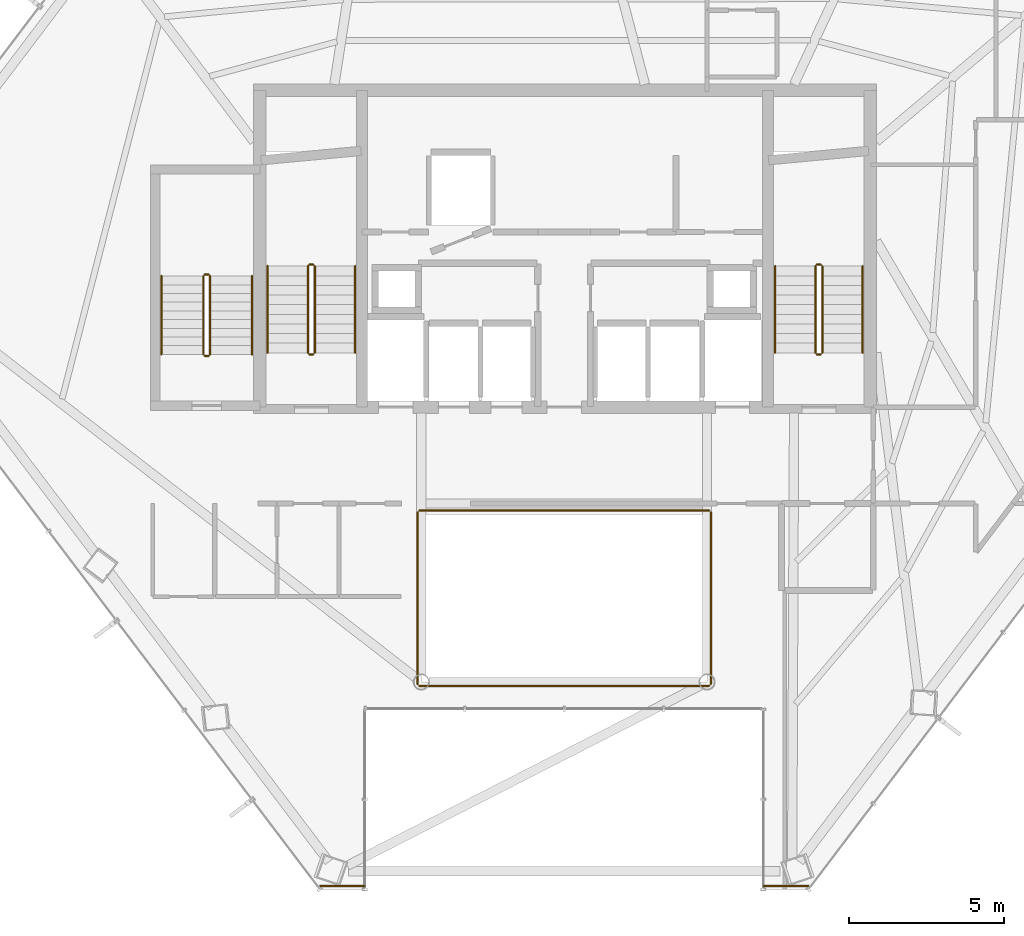
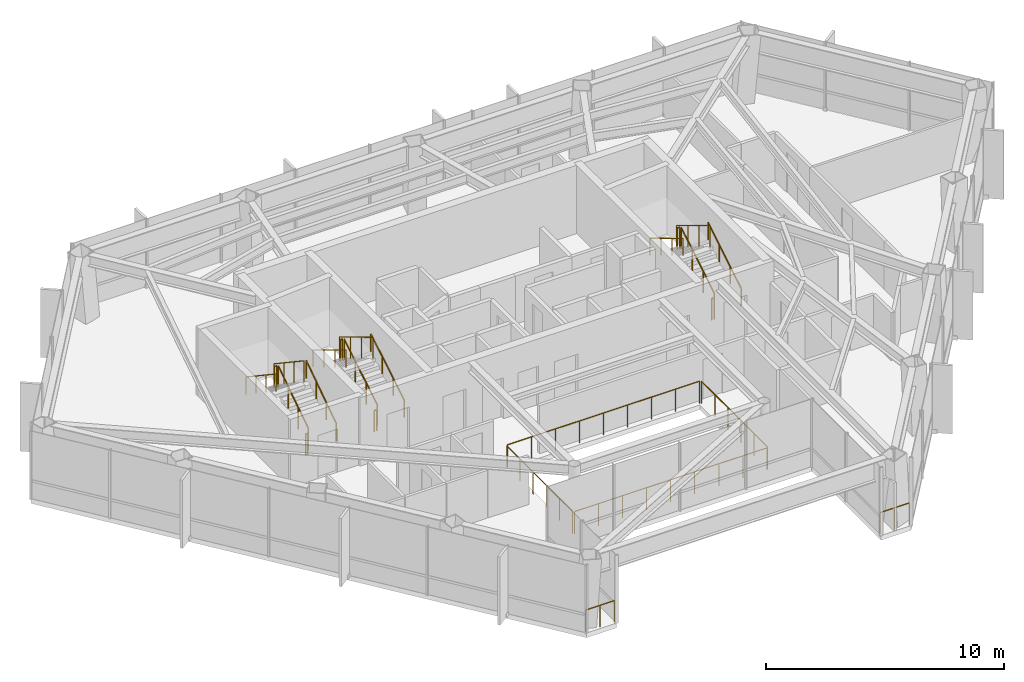
# One storey, part 30 of 30: 24 railings.
"""IFC4 building model written with IfcOpenShell, lengths in metres."""

import ifcopenshell
import ifcopenshell.guid

model = None  # the IFC model being written
_history = None  # IfcOwnerHistory: only IFC2X3 demands one
_inside = {}  # id of a spatial element -> (the spatial element, [elements in it])
_under = {}  # id of a project, library or spatial element -> (it, [spatial elements below it])
_declared = {}  # id of a project -> (the project, [libraries it declares])
_typed = {}  # id of a type object -> (the type object, [elements of that type])
_made_of = {}  # id of a material, layer set ... -> (it, [elements and type objects made of it])


def new_model(schema):
    """Start an empty IFC model of exactly this schema.

    Asked for "IFC4X3", IfcOpenShell would pick the latest addendum, in which some entities
    have other attributes; the version numbers below select the first issue.
    IFC2X3 requires an IfcOwnerHistory on every rooted entity: one is made here for all.
    """
    global model, _history
    if schema == "IFC4X3":
        model = ifcopenshell.file(schema_version=(4, 3, 0, 0))
    else:
        model = ifcopenshell.file(schema=schema)
    _inside.clear()
    _under.clear()
    _declared.clear()
    _typed.clear()
    _made_of.clear()
    _history = None
    if model.schema == "IFC2X3":
        org = make("IfcOrganization", Name="unknown")
        user = make(
            "IfcPersonAndOrganization",
            ThePerson=make("IfcPerson", FamilyName="unknown"),
            TheOrganization=org,
        )
        app = make(
            "IfcApplication",
            ApplicationDeveloper=org,
            Version="unknown",
            ApplicationFullName="unknown",
            ApplicationIdentifier="unknown",
        )
        _history = make(
            "IfcOwnerHistory",
            OwningUser=user,
            OwningApplication=app,
            ChangeAction="ADDED",
            CreationDate=0,
        )
    return model


def make(cls, **values):
    """One entity of the class cls with the attributes given. An attribute that is None is left unset."""
    return model.create_entity(
        cls, **{name: value for name, value in values.items() if value is not None}
    )


def rooted(cls, **values):
    """An entity with a GlobalId (a new one), such as an element, a storey or a relation."""
    return make(cls, GlobalId=ifcopenshell.guid.new(), OwnerHistory=_history, **values)


def si_unit(unit_type, name, prefix=None):
    """IfcSIUnit, for example si_unit("LENGTHUNIT", "METRE", prefix="MILLI")."""
    return make("IfcSIUnit", UnitType=unit_type, Prefix=prefix, Name=name)


def assignment(units):
    """IfcUnitAssignment: the units of a project."""
    return None if units is None else make("IfcUnitAssignment", Units=units)


def point(xyz):
    """IfcCartesianPoint."""
    return None if xyz is None else make("IfcCartesianPoint", Coordinates=xyz)


def direction(xyz):
    """IfcDirection."""
    return None if xyz is None else make("IfcDirection", DirectionRatios=xyz)


def frame(location, z_axis=None, x_axis=None):
    """IfcAxis2Placement3D, a coordinate frame: its origin and axes. An axis left out is left unset."""
    return make(
        "IfcAxis2Placement3D",
        Location=point(location),
        Axis=direction(z_axis),
        RefDirection=direction(x_axis),
    )


def frame_2d(location, x_axis=None):
    """IfcAxis2Placement2D, a coordinate frame in the plane: its origin and x axis."""
    return make(
        "IfcAxis2Placement2D", Location=point(location), RefDirection=direction(x_axis)
    )


def origin():
    """The frame at (0, 0, 0) with its axes left unset."""
    return frame((0.0, 0.0, 0.0))


def origin_2d():
    """The frame at (0, 0) in the plane with its x axis left unset."""
    return frame_2d((0.0, 0.0))


def place(relative_to, where):
    """IfcLocalPlacement: puts the frame where relative to a parent placement (None: the world)."""
    return make(
        "IfcLocalPlacement", PlacementRelTo=relative_to, RelativePlacement=where
    )


def context(
    kind, dimensions, precision=None, world=None, true_north=None, identifier=None
):
    """IfcGeometricRepresentationContext, for example the 3D "Model" context."""
    return make(
        "IfcGeometricRepresentationContext",
        ContextIdentifier=identifier,
        ContextType=kind,
        CoordinateSpaceDimension=dimensions,
        Precision=precision,
        WorldCoordinateSystem=world,
        TrueNorth=true_north,
    )


def subcontext(parent, identifier, kind, view, scale=None):
    """IfcGeometricRepresentationSubContext, for example "Body" below "Model"."""
    return make(
        "IfcGeometricRepresentationSubContext",
        ContextIdentifier=identifier,
        ContextType=kind,
        ParentContext=parent,
        TargetScale=scale,
        TargetView=view,
    )


def project(units=None, contexts=None):
    """IfcProject with its units and contexts."""
    return rooted(
        "IfcProject",
        Name="project",
        RepresentationContexts=contexts,
        UnitsInContext=assignment(units),
    )


def spatial(cls, under=None, at=None, **own):
    """A site, building, storey or space (cls), placed at a placement, below another one or the project."""
    s = rooted(cls, ObjectPlacement=at, **own)
    if under is not None:
        _under.setdefault(under.id(), (under, []))[1].append(s)
    return s


def profile(cls, at=None, kind="AREA", **sizes):
    """A parametric profile (cls). Its sizes go by their IFC names, for example OverallWidth=200.0."""
    return make(cls, ProfileType=kind, Position=at, **sizes)


def circle(**sizes):
    """IfcCircleProfileDef."""
    return profile("IfcCircleProfileDef", **sizes)


def extrude(swept, where, along, depth):
    """IfcExtrudedAreaSolid: the profile swept, set in the frame where, extruded along a direction by depth."""
    return make(
        "IfcExtrudedAreaSolid",
        SweptArea=swept,
        Position=where,
        ExtrudedDirection=direction(along),
        Depth=depth,
    )


def shape(context_of_items, identifier, shape_type, items):
    """IfcShapeRepresentation: the items that make up one representation, for example the "Body"."""
    return make(
        "IfcShapeRepresentation",
        ContextOfItems=context_of_items,
        RepresentationIdentifier=identifier,
        RepresentationType=shape_type,
        Items=items,
    )


def material(Name=None, Category=None):
    """IfcMaterial."""
    return make("IfcMaterial", Name=Name, Category=Category)


def made_of(thing, what):
    """Note that an element or type object is made of a material, layer set ...; save() writes the relation."""
    if what is not None:
        _made_of.setdefault(what.id(), (what, []))[1].append(thing)
    return thing


def type_object(cls, material=None, **own):
    """A type object (cls), such as IfcWallType, which elements share."""
    return made_of(rooted(cls, **own), material)


def element(
    cls,
    number,
    at=None,
    inside=None,
    cuts=None,
    type_object=None,
    material=None,
    context=None,
    identifier="Body",
    shape_type=None,
    held_by="IfcProductDefinitionShape",
    body=None,
    shapes=None,
    **own,
):
    """One element of the class cls, such as IfcWall. Its Tag is "e" and its number.

    at: its placement. inside: the storey or other place that contains it. cuts: it is an
    opening in that element (IfcRelVoidsElement). A single representation is given by context,
    identifier, shape_type and body (its items); several are given by shapes. held_by: the class
    of the entity that holds the representations. save() writes the other relations.
    """
    e = rooted(cls, Tag="e%d" % number, ObjectPlacement=at, **own)
    if body is not None:
        shapes = [shape(context, identifier, shape_type, body)]
    if shapes is not None:
        e.Representation = make(held_by, Representations=shapes)
    if inside is not None:
        _inside.setdefault(inside.id(), (inside, []))[1].append(e)
    if cuts is not None:
        rooted(
            "IfcRelVoidsElement", RelatingBuildingElement=cuts, RelatedOpeningElement=e
        )
    if type_object is not None:
        _typed.setdefault(type_object.id(), (type_object, []))[1].append(e)
    return made_of(e, material)


def aggregate(whole, parts):
    """IfcRelAggregates: a whole, such as a stair, and the parts it consists of."""
    return rooted("IfcRelAggregates", RelatingObject=whole, RelatedObjects=parts)


def save(model, path):
    """Write the relations noted so far, then the file.

    IfcRelAggregates (storeys below a building ...), IfcRelContainedInSpatialStructure (elements
    in a storey), IfcRelDefinesByType, IfcRelAssociatesMaterial and IfcRelDeclares: one each for
    every whole, place, type object, material and project.
    """
    for whole, parts in _under.values():
        aggregate(whole, parts)
    for where, things in _inside.values():
        rooted(
            "IfcRelContainedInSpatialStructure",
            RelatedElements=things,
            RelatingStructure=where,
        )
    for kind, things in _typed.values():
        rooted("IfcRelDefinesByType", RelatedObjects=things, RelatingType=kind)
    for what, things in _made_of.values():
        rooted("IfcRelAssociatesMaterial", RelatedObjects=things, RelatingMaterial=what)
    for by, libraries in _declared.values():
        rooted("IfcRelDeclares", RelatingContext=by, RelatedDefinitions=libraries)
    model.write(path)


model = new_model("IFC4")

# Units and contexts
model_context = context("Model", 3, precision=1e-05, world=origin(), true_north=direction((0.0, 1.0)))
body_context = subcontext(model_context, "Body", "Model", "MODEL_VIEW")
ifc_project = project(units=[si_unit("LENGTHUNIT", "METRE"), si_unit("AREAUNIT", "SQUARE_METRE"), si_unit("VOLUMEUNIT", "CUBIC_METRE"), si_unit("PLANEANGLEUNIT", "RADIAN"), si_unit("MASSUNIT", "GRAM", prefix="KILO")], contexts=[model_context])

# Site, building, storey
site_placement = place(None, origin())
site = spatial("IfcSite", under=ifc_project, at=site_placement, CompositionType="ELEMENT")
building_placement = place(site_placement, origin())
building = spatial("IfcBuilding", under=site, at=building_placement, Name="Zarrinselat Tower", CompositionType="ELEMENT")
storey_placement = place(building_placement, frame((0.0, 0.0, 160.820068359375)))
storey = spatial("IfcBuildingStorey", under=building, at=storey_placement, Name="L39", CompositionType="ELEMENT", Elevation=160.820068359375)

# Railings
ifc_material_1 = material(Name="Double Low-E Laminated Solar Glass", Category="glass")
railing_type_1 = type_object("IfcRailingType", Name="RLG-ATRIUM-BAL", PredefinedType="BALUSTRADE", material=ifc_material_1)
railing_1_placement = place(storey_placement, frame((33.739990234375, 24.280029296875, 0.0)))
element("IfcRailing", 1, at=railing_1_placement, inside=storey, type_object=railing_type_1, Name="L39 Atrium Void Glass Balustrade S", PredefinedType="BALUSTRADE", context=body_context, shape_type="SweptSolid", body=[
    extrude(circle(Radius=0.02392578125, at=origin_2d()), frame((0.0, 0.0, 1.1259765625), z_axis=(1.0, 0.0, 0.0), x_axis=(0.0, 1.0, 0.0)), (0.0, 0.0, 1.0), 9.320068359375),
    extrude(circle(Radius=0.02099609375, at=origin_2d()), origin(), (0.0, 0.0, 1.0), 1.099853515625),
    extrude(circle(Radius=0.02099609375, at=origin_2d()), frame((1.1650390625, 0.0, 0.0)), (0.0, 0.0, 1.0), 1.099853515625),
    extrude(circle(Radius=0.02099609375, at=origin_2d()), frame((2.330078125, 0.0, 0.0)), (0.0, 0.0, 1.0), 1.099853515625),
    extrude(circle(Radius=0.02099609375, at=origin_2d()), frame((3.4951171875, 0.0, 0.0)), (0.0, 0.0, 1.0), 1.099853515625),
    extrude(circle(Radius=0.02099609375, at=origin_2d()), frame((4.66015625, 0.0, 0.0)), (0.0, 0.0, 1.0), 1.099853515625),
    extrude(circle(Radius=0.02099609375, at=origin_2d()), frame((5.824951171875, 0.0, 0.0)), (0.0, 0.0, 1.0), 1.099853515625),
    extrude(circle(Radius=0.02099609375, at=origin_2d()), frame((6.989990234375, 0.0, 0.0)), (0.0, 0.0, 1.0), 1.099853515625),
    extrude(circle(Radius=0.02099609375, at=origin_2d()), frame((8.155029296875, 0.0, 0.0)), (0.0, 0.0, 1.0), 1.099853515625),
    extrude(circle(Radius=0.02099609375, at=origin_2d()), frame((9.320068359375, 0.0, 0.0)), (0.0, 0.0, 1.0), 1.099853515625),
])
railing_2_placement = place(storey_placement, frame((43.1201171875, 24.340087890625, 0.0)))
element("IfcRailing", 2, at=railing_2_placement, inside=storey, type_object=railing_type_1, Name="L39 Atrium Void Glass Balustrade E", PredefinedType="BALUSTRADE", context=body_context, shape_type="SweptSolid", body=[
    extrude(circle(Radius=0.02392578125, at=origin_2d()), frame((0.0, 0.0, 1.1259765625), z_axis=(0.0, 1.0, 0.0), x_axis=(-1.0, 0.0, 0.0)), (0.0, 0.0, 1.0), 5.52001953125),
    extrude(circle(Radius=0.02099609375, at=origin_2d()), origin(), (0.0, 0.0, 1.0), 1.099853515625),
    extrude(circle(Radius=0.02099609375, at=origin_2d()), frame((0.0, 1.10400390625, 0.0)), (0.0, 0.0, 1.0), 1.099853515625),
    extrude(circle(Radius=0.02099609375, at=origin_2d()), frame((0.0, 2.2080078125, 0.0)), (0.0, 0.0, 1.0), 1.099853515625),
    extrude(circle(Radius=0.02099609375, at=origin_2d()), frame((0.0, 3.31201171875, 0.0)), (0.0, 0.0, 1.0), 1.099853515625),
    extrude(circle(Radius=0.02099609375, at=origin_2d()), frame((0.0, 4.416015625, 0.0)), (0.0, 0.0, 1.0), 1.099853515625),
    extrude(circle(Radius=0.02099609375, at=origin_2d()), frame((0.0, 5.52001953125, 0.0)), (0.0, 0.0, 1.0), 1.099853515625),
])
railing_3_placement = place(storey_placement, frame((43.06005859375, 29.919921875, 0.0)))
element("IfcRailing", 3, at=railing_3_placement, inside=storey, type_object=railing_type_1, Name="L39 Atrium Void Glass Balustrade N", PredefinedType="BALUSTRADE", context=body_context, shape_type="SweptSolid", body=[
    extrude(circle(Radius=0.02392578125, at=origin_2d()), frame((0.0, 0.0, 1.1259765625), z_axis=(-1.0, 0.0, 0.0), x_axis=(0.0, -1.0, 0.0)), (0.0, 0.0, 1.0), 9.320068359375),
    extrude(circle(Radius=0.02099609375, at=origin_2d()), origin(), (0.0, 0.0, 1.0), 1.099853515625),
    extrude(circle(Radius=0.02099609375, at=origin_2d()), frame((-1.1650390625, 0.0, 0.0)), (0.0, 0.0, 1.0), 1.099853515625),
    extrude(circle(Radius=0.02099609375, at=origin_2d()), frame((-2.330078125, 0.0, 0.0)), (0.0, 0.0, 1.0), 1.099853515625),
    extrude(circle(Radius=0.02099609375, at=origin_2d()), frame((-3.4951171875, 0.0, 0.0)), (0.0, 0.0, 1.0), 1.099853515625),
    extrude(circle(Radius=0.02099609375, at=origin_2d()), frame((-4.66015625, 0.0, 0.0)), (0.0, 0.0, 1.0), 1.099853515625),
    extrude(circle(Radius=0.02099609375, at=origin_2d()), frame((-5.824951171875, 0.0, 0.0)), (0.0, 0.0, 1.0), 1.099853515625),
    extrude(circle(Radius=0.02099609375, at=origin_2d()), frame((-6.989990234375, 0.0, 0.0)), (0.0, 0.0, 1.0), 1.099853515625),
    extrude(circle(Radius=0.02099609375, at=origin_2d()), frame((-8.155029296875, 0.0, 0.0)), (0.0, 0.0, 1.0), 1.099853515625),
    extrude(circle(Radius=0.02099609375, at=origin_2d()), frame((-9.320068359375, 0.0, 0.0)), (0.0, 0.0, 1.0), 1.099853515625),
])
railing_4_placement = place(storey_placement, frame((33.679931640625, 29.860107421875, 0.0)))
element("IfcRailing", 4, at=railing_4_placement, inside=storey, type_object=railing_type_1, Name="L39 Atrium Void Glass Balustrade W", PredefinedType="BALUSTRADE", context=body_context, shape_type="SweptSolid", body=[
    extrude(circle(Radius=0.02392578125, at=origin_2d()), frame((0.0, 0.0, 1.1259765625), z_axis=(0.0, -1.0, 0.0), x_axis=(1.0, 0.0, 0.0)), (0.0, 0.0, 1.0), 5.52001953125),
    extrude(circle(Radius=0.02099609375, at=origin_2d()), origin(), (0.0, 0.0, 1.0), 1.099853515625),
    extrude(circle(Radius=0.02099609375, at=origin_2d()), frame((0.0, -1.10400390625, 0.0)), (0.0, 0.0, 1.0), 1.099853515625),
    extrude(circle(Radius=0.02099609375, at=origin_2d()), frame((0.0, -2.2080078125, 0.0)), (0.0, 0.0, 1.0), 1.099853515625),
    extrude(circle(Radius=0.02099609375, at=origin_2d()), frame((0.0, -3.31201171875, 0.0)), (0.0, 0.0, 1.0), 1.099853515625),
    extrude(circle(Radius=0.02099609375, at=origin_2d()), frame((0.0, -4.416015625, 0.0)), (0.0, 0.0, 1.0), 1.099853515625),
    extrude(circle(Radius=0.02099609375, at=origin_2d()), frame((0.0, -5.52001953125, 0.0)), (0.0, 0.0, 1.0), 1.099853515625),
])
ifc_material_2 = material(Name="Steel S355J2", Category="steel")
railing_type_2 = type_object("IfcRailingType", Name="RLG-STAIR-GUARD", PredefinedType="GUARDRAIL", material=ifc_material_2)
railing_5_placement = place(storey_placement, frame((30.3701171875, 35.0, 0.18701171875)))
element("IfcRailing", 5, at=railing_5_placement, inside=storey, type_object=railing_type_2, Name="L39 ST-1 stair guard 1", PredefinedType="GUARDRAIL", context=body_context, shape_type="SweptSolid", body=[
    extrude(circle(Radius=0.02392578125, at=origin_2d()), frame((0.0, 0.0, 1.076171875), z_axis=(0.0, 0.856293938615, 0.516488809842), x_axis=(-1.0, 0.0, 0.0)), (0.0, 0.0, 1.0), 3.25830078125),
    extrude(circle(Radius=0.02099609375, at=origin_2d()), origin(), (0.0, 0.0, 1.0), 1.050048828125),
    extrude(circle(Radius=0.02099609375, at=origin_2d()), frame((0.0, 0.929931640625, 0.56103515625)), (0.0, 0.0, 1.0), 1.050048828125),
    extrude(circle(Radius=0.02099609375, at=origin_2d()), frame((0.0, 1.860107421875, 1.121826171875)), (0.0, 0.0, 1.0), 1.050048828125),
    extrude(circle(Radius=0.02099609375, at=origin_2d()), frame((0.0, 2.7900390625, 1.682861328125)), (0.0, 0.0, 1.0), 1.050048828125),
])
railing_6_placement = place(storey_placement, frame((30.320068359375, 37.840087890625, 1.869873046875)))
element("IfcRailing", 6, at=railing_6_placement, inside=storey, type_object=railing_type_2, Name="L39 ST-1 stair guard 2", PredefinedType="GUARDRAIL", context=body_context, shape_type="SweptSolid", body=[
    extrude(circle(Radius=0.02392578125, at=origin_2d()), frame((0.0, 0.0, 1.076171875), z_axis=(-1.0, 0.0, 0.0), x_axis=(0.0, -1.0, 0.0)), (0.0, 0.0, 1.0), 0.1201171875),
    extrude(circle(Radius=0.02099609375, at=origin_2d()), origin(), (0.0, 0.0, 1.0), 1.050048828125),
    extrude(circle(Radius=0.02099609375, at=origin_2d()), frame((-0.1201171875, 0.0, 0.0)), (0.0, 0.0, 1.0), 1.050048828125),
])
railing_7_placement = place(storey_placement, frame((30.14990234375, 37.7900390625, 2.056884765625)))
element("IfcRailing", 7, at=railing_7_placement, inside=storey, type_object=railing_type_2, Name="L39 ST-1 stair guard 3", PredefinedType="GUARDRAIL", context=body_context, shape_type="SweptSolid", body=[
    extrude(circle(Radius=0.02392578125, at=origin_2d()), frame((0.0, 0.0, 1.076171875), z_axis=(0.0, -0.856260799362, 0.516543747882), x_axis=(1.0, 0.0, 0.0)), (0.0, 0.0, 1.0), 3.25830078125),
    extrude(circle(Radius=0.02099609375, at=origin_2d()), origin(), (0.0, 0.0, 1.0), 1.050048828125),
    extrude(circle(Radius=0.02099609375, at=origin_2d()), frame((0.0, -0.929931640625, 0.56103515625)), (0.0, 0.0, 1.0), 1.050048828125),
    extrude(circle(Radius=0.02099609375, at=origin_2d()), frame((0.0, -1.860107421875, 1.1220703125)), (0.0, 0.0, 1.0), 1.050048828125),
    extrude(circle(Radius=0.02099609375, at=origin_2d()), frame((0.0, -2.7900390625, 1.68310546875)), (0.0, 0.0, 1.0), 1.050048828125),
])
railing_8_placement = place(storey_placement, frame((30.320068359375, 34.949951171875, 0.0)))
element("IfcRailing", 8, at=railing_8_placement, inside=storey, type_object=railing_type_2, Name="L39 ST-1 stair guard 4", PredefinedType="GUARDRAIL", context=body_context, shape_type="SweptSolid", body=[
    extrude(circle(Radius=0.02392578125, at=origin_2d()), frame((0.0, 0.0, 1.076171875), z_axis=(-1.0, 0.0, 0.0), x_axis=(0.0, -1.0, 0.0)), (0.0, 0.0, 1.0), 0.1201171875),
    extrude(circle(Radius=0.02099609375, at=origin_2d()), origin(), (0.0, 0.0, 1.0), 1.050048828125),
    extrude(circle(Radius=0.02099609375, at=origin_2d()), frame((-0.1201171875, 0.0, 0.0)), (0.0, 0.0, 1.0), 1.050048828125),
])
railing_9_placement = place(storey_placement, frame((46.7099609375, 35.0, 0.18701171875)))
element("IfcRailing", 9, at=railing_9_placement, inside=storey, type_object=railing_type_2, Name="L39 ST-2 stair guard 1", PredefinedType="GUARDRAIL", context=body_context, shape_type="SweptSolid", body=[
    extrude(circle(Radius=0.02392578125, at=origin_2d()), frame((0.0, 0.0, 1.076171875), z_axis=(0.0, 0.856293938615, 0.516488809842), x_axis=(-1.0, 0.0, 0.0)), (0.0, 0.0, 1.0), 3.25830078125),
    extrude(circle(Radius=0.02099609375, at=origin_2d()), origin(), (0.0, 0.0, 1.0), 1.050048828125),
    extrude(circle(Radius=0.02099609375, at=origin_2d()), frame((0.0, 0.929931640625, 0.56103515625)), (0.0, 0.0, 1.0), 1.050048828125),
    extrude(circle(Radius=0.02099609375, at=origin_2d()), frame((0.0, 1.860107421875, 1.121826171875)), (0.0, 0.0, 1.0), 1.050048828125),
    extrude(circle(Radius=0.02099609375, at=origin_2d()), frame((0.0, 2.7900390625, 1.682861328125)), (0.0, 0.0, 1.0), 1.050048828125),
])
railing_10_placement = place(storey_placement, frame((46.659912109375, 37.840087890625, 1.869873046875)))
element("IfcRailing", 10, at=railing_10_placement, inside=storey, type_object=railing_type_2, Name="L39 ST-2 stair guard 2", PredefinedType="GUARDRAIL", context=body_context, shape_type="SweptSolid", body=[
    extrude(circle(Radius=0.02392578125, at=origin_2d()), frame((0.0, 0.0, 1.076171875), z_axis=(-1.0, 0.0, 0.0), x_axis=(0.0, -1.0, 0.0)), (0.0, 0.0, 1.0), 0.119873046875),
    extrude(circle(Radius=0.02099609375, at=origin_2d()), origin(), (0.0, 0.0, 1.0), 1.050048828125),
    extrude(circle(Radius=0.02099609375, at=origin_2d()), frame((-0.119873046875, 0.0, 0.0)), (0.0, 0.0, 1.0), 1.050048828125),
])
railing_11_placement = place(storey_placement, frame((46.489990234375, 37.7900390625, 2.056884765625)))
element("IfcRailing", 11, at=railing_11_placement, inside=storey, type_object=railing_type_2, Name="L39 ST-2 stair guard 3", PredefinedType="GUARDRAIL", context=body_context, shape_type="SweptSolid", body=[
    extrude(circle(Radius=0.02392578125, at=origin_2d()), frame((0.0, 0.0, 1.076171875), z_axis=(0.0, -0.856260799362, 0.516543747882), x_axis=(1.0, 0.0, 0.0)), (0.0, 0.0, 1.0), 3.25830078125),
    extrude(circle(Radius=0.02099609375, at=origin_2d()), origin(), (0.0, 0.0, 1.0), 1.050048828125),
    extrude(circle(Radius=0.02099609375, at=origin_2d()), frame((0.0, -0.929931640625, 0.56103515625)), (0.0, 0.0, 1.0), 1.050048828125),
    extrude(circle(Radius=0.02099609375, at=origin_2d()), frame((0.0, -1.860107421875, 1.1220703125)), (0.0, 0.0, 1.0), 1.050048828125),
    extrude(circle(Radius=0.02099609375, at=origin_2d()), frame((0.0, -2.7900390625, 1.68310546875)), (0.0, 0.0, 1.0), 1.050048828125),
])
railing_12_placement = place(storey_placement, frame((46.659912109375, 34.949951171875, 0.0)))
element("IfcRailing", 12, at=railing_12_placement, inside=storey, type_object=railing_type_2, Name="L39 ST-2 stair guard 4", PredefinedType="GUARDRAIL", context=body_context, shape_type="SweptSolid", body=[
    extrude(circle(Radius=0.02392578125, at=origin_2d()), frame((0.0, 0.0, 1.076171875), z_axis=(-1.0, 0.0, 0.0), x_axis=(0.0, -1.0, 0.0)), (0.0, 0.0, 1.0), 0.119873046875),
    extrude(circle(Radius=0.02099609375, at=origin_2d()), origin(), (0.0, 0.0, 1.0), 1.050048828125),
    extrude(circle(Radius=0.02099609375, at=origin_2d()), frame((-0.119873046875, 0.0, 0.0)), (0.0, 0.0, 1.0), 1.050048828125),
])
railing_13_placement = place(storey_placement, frame((27.0, 34.949951171875, 0.18701171875)))
element("IfcRailing", 13, at=railing_13_placement, inside=storey, type_object=railing_type_2, Name="L39 ST-3 stair guard 1", PredefinedType="GUARDRAIL", context=body_context, shape_type="SweptSolid", body=[
    extrude(circle(Radius=0.02392578125, at=origin_2d()), frame((0.0, 0.0, 1.076171875), z_axis=(0.0, 0.831616215664, 0.555350762892), x_axis=(-1.0, 0.0, 0.0)), (0.0, 0.0, 1.0), 3.0302734375),
    extrude(circle(Radius=0.02099609375, at=origin_2d()), origin(), (0.0, 0.0, 1.0), 1.050048828125),
    extrude(circle(Radius=0.02099609375, at=origin_2d()), frame((0.0, 0.840087890625, 0.56103515625)), (0.0, 0.0, 1.0), 1.050048828125),
    extrude(circle(Radius=0.02099609375, at=origin_2d()), frame((0.0, 1.679931640625, 1.121826171875)), (0.0, 0.0, 1.0), 1.050048828125),
    extrude(circle(Radius=0.02099609375, at=origin_2d()), frame((0.0, 2.52001953125, 1.682861328125)), (0.0, 0.0, 1.0), 1.050048828125),
])
railing_14_placement = place(storey_placement, frame((26.949951171875, 37.52001953125, 1.869873046875)))
element("IfcRailing", 14, at=railing_14_placement, inside=storey, type_object=railing_type_2, Name="L39 ST-3 stair guard 2", PredefinedType="GUARDRAIL", context=body_context, shape_type="SweptSolid", body=[
    extrude(circle(Radius=0.02392578125, at=origin_2d()), frame((0.0, 0.0, 1.076171875), z_axis=(-1.0, 0.0, 0.0), x_axis=(0.0, -1.0, 0.0)), (0.0, 0.0, 1.0), 0.119873046875),
    extrude(circle(Radius=0.02099609375, at=origin_2d()), origin(), (0.0, 0.0, 1.0), 1.050048828125),
    extrude(circle(Radius=0.02099609375, at=origin_2d()), frame((-0.119873046875, 0.0, 0.0)), (0.0, 0.0, 1.0), 1.050048828125),
])
railing_15_placement = place(storey_placement, frame((26.780029296875, 37.469970703125, 2.056884765625)))
element("IfcRailing", 15, at=railing_15_placement, inside=storey, type_object=railing_type_2, Name="L39 ST-3 stair guard 3", PredefinedType="GUARDRAIL", context=body_context, shape_type="SweptSolid", body=[
    extrude(circle(Radius=0.02392578125, at=origin_2d()), frame((0.0, 0.0, 1.076171875), z_axis=(0.0, -0.831579006341, 0.555406478368), x_axis=(1.0, 0.0, 0.0)), (0.0, 0.0, 1.0), 3.030517578125),
    extrude(circle(Radius=0.02099609375, at=origin_2d()), origin(), (0.0, 0.0, 1.0), 1.050048828125),
    extrude(circle(Radius=0.02099609375, at=origin_2d()), frame((0.0, -0.840087890625, 0.56103515625)), (0.0, 0.0, 1.0), 1.050048828125),
    extrude(circle(Radius=0.02099609375, at=origin_2d()), frame((0.0, -1.679931640625, 1.1220703125)), (0.0, 0.0, 1.0), 1.050048828125),
    extrude(circle(Radius=0.02099609375, at=origin_2d()), frame((0.0, -2.52001953125, 1.68310546875)), (0.0, 0.0, 1.0), 1.050048828125),
])
railing_16_placement = place(storey_placement, frame((26.949951171875, 34.89990234375, 0.0)))
element("IfcRailing", 16, at=railing_16_placement, inside=storey, type_object=railing_type_2, Name="L39 ST-3 stair guard 4", PredefinedType="GUARDRAIL", context=body_context, shape_type="SweptSolid", body=[
    extrude(circle(Radius=0.02392578125, at=origin_2d()), frame((0.0, 0.0, 1.076171875), z_axis=(-1.0, 0.0, 0.0), x_axis=(0.0, -1.0, 0.0)), (0.0, 0.0, 1.0), 0.119873046875),
    extrude(circle(Radius=0.02099609375, at=origin_2d()), origin(), (0.0, 0.0, 1.0), 1.050048828125),
    extrude(circle(Radius=0.02099609375, at=origin_2d()), frame((-0.119873046875, 0.0, 0.0)), (0.0, 0.0, 1.0), 1.050048828125),
])
ifc_material_3 = material(Name="Steel S355J2", Category="steel")
railing_type_3 = type_object("IfcRailingType", Name="RLG-STAIR-HAND", PredefinedType="HANDRAIL", material=ifc_material_3)
railing_17_placement = place(storey_placement, frame((31.669921875, 35.0, 0.18701171875)))
element("IfcRailing", 17, at=railing_17_placement, inside=storey, type_object=railing_type_3, Name="L39 ST-1 stair handrail 1", PredefinedType="HANDRAIL", context=body_context, shape_type="SweptSolid", body=[
    extrude(circle(Radius=0.02392578125, at=origin_2d()), frame((0.0, 0.0, 0.8759765625), z_axis=(0.0, 0.856293938615, 0.516488809842), x_axis=(-1.0, 0.0, 0.0)), (0.0, 0.0, 1.0), 3.25830078125),
    extrude(circle(Radius=0.02099609375, at=origin_2d()), origin(), (0.0, 0.0, 1.0), 0.849853515625),
    extrude(circle(Radius=0.02099609375, at=origin_2d()), frame((0.0, 0.929931640625, 0.56103515625)), (0.0, 0.0, 1.0), 0.849853515625),
    extrude(circle(Radius=0.02099609375, at=origin_2d()), frame((0.0, 1.860107421875, 1.121826171875)), (0.0, 0.0, 1.0), 0.849853515625),
    extrude(circle(Radius=0.02099609375, at=origin_2d()), frame((0.0, 2.7900390625, 1.682861328125)), (0.0, 0.0, 1.0), 0.849853515625),
])
railing_18_placement = place(storey_placement, frame((28.85009765625, 37.7900390625, 2.056884765625)))
element("IfcRailing", 18, at=railing_18_placement, inside=storey, type_object=railing_type_3, Name="L39 ST-1 stair handrail 2", PredefinedType="HANDRAIL", context=body_context, shape_type="SweptSolid", body=[
    extrude(circle(Radius=0.02392578125, at=origin_2d()), frame((0.0, 0.0, 0.8759765625), z_axis=(0.0, -0.856260799362, 0.516543747882), x_axis=(1.0, 0.0, 0.0)), (0.0, 0.0, 1.0), 3.25830078125),
    extrude(circle(Radius=0.02099609375, at=origin_2d()), origin(), (0.0, 0.0, 1.0), 0.849853515625),
    extrude(circle(Radius=0.02099609375, at=origin_2d()), frame((0.0, -0.929931640625, 0.56103515625)), (0.0, 0.0, 1.0), 0.849853515625),
    extrude(circle(Radius=0.02099609375, at=origin_2d()), frame((0.0, -1.860107421875, 1.1220703125)), (0.0, 0.0, 1.0), 0.849853515625),
    extrude(circle(Radius=0.02099609375, at=origin_2d()), frame((0.0, -2.7900390625, 1.68310546875)), (0.0, 0.0, 1.0), 0.849853515625),
])
railing_19_placement = place(storey_placement, frame((48.010009765625, 35.0, 0.18701171875)))
element("IfcRailing", 19, at=railing_19_placement, inside=storey, type_object=railing_type_3, Name="L39 ST-2 stair handrail 1", PredefinedType="HANDRAIL", context=body_context, shape_type="SweptSolid", body=[
    extrude(circle(Radius=0.02392578125, at=origin_2d()), frame((0.0, 0.0, 0.8759765625), z_axis=(0.0, 0.856293938615, 0.516488809842), x_axis=(-1.0, 0.0, 0.0)), (0.0, 0.0, 1.0), 3.25830078125),
    extrude(circle(Radius=0.02099609375, at=origin_2d()), origin(), (0.0, 0.0, 1.0), 0.849853515625),
    extrude(circle(Radius=0.02099609375, at=origin_2d()), frame((0.0, 0.929931640625, 0.56103515625)), (0.0, 0.0, 1.0), 0.849853515625),
    extrude(circle(Radius=0.02099609375, at=origin_2d()), frame((0.0, 1.860107421875, 1.121826171875)), (0.0, 0.0, 1.0), 0.849853515625),
    extrude(circle(Radius=0.02099609375, at=origin_2d()), frame((0.0, 2.7900390625, 1.682861328125)), (0.0, 0.0, 1.0), 0.849853515625),
])
railing_20_placement = place(storey_placement, frame((45.18994140625, 37.7900390625, 2.056884765625)))
element("IfcRailing", 20, at=railing_20_placement, inside=storey, type_object=railing_type_3, Name="L39 ST-2 stair handrail 2", PredefinedType="HANDRAIL", context=body_context, shape_type="SweptSolid", body=[
    extrude(circle(Radius=0.02392578125, at=origin_2d()), frame((0.0, 0.0, 0.8759765625), z_axis=(0.0, -0.856260799362, 0.516543747882), x_axis=(1.0, 0.0, 0.0)), (0.0, 0.0, 1.0), 3.25830078125),
    extrude(circle(Radius=0.02099609375, at=origin_2d()), origin(), (0.0, 0.0, 1.0), 0.849853515625),
    extrude(circle(Radius=0.02099609375, at=origin_2d()), frame((0.0, -0.929931640625, 0.56103515625)), (0.0, 0.0, 1.0), 0.849853515625),
    extrude(circle(Radius=0.02099609375, at=origin_2d()), frame((0.0, -1.860107421875, 1.1220703125)), (0.0, 0.0, 1.0), 0.849853515625),
    extrude(circle(Radius=0.02099609375, at=origin_2d()), frame((0.0, -2.7900390625, 1.68310546875)), (0.0, 0.0, 1.0), 0.849853515625),
])
railing_21_placement = place(storey_placement, frame((28.35009765625, 34.949951171875, 0.18701171875)))
element("IfcRailing", 21, at=railing_21_placement, inside=storey, type_object=railing_type_3, Name="L39 ST-3 stair handrail 1", PredefinedType="HANDRAIL", context=body_context, shape_type="SweptSolid", body=[
    extrude(circle(Radius=0.02392578125, at=origin_2d()), frame((0.0, 0.0, 0.8759765625), z_axis=(0.0, 0.831616215664, 0.555350762892), x_axis=(-1.0, 0.0, 0.0)), (0.0, 0.0, 1.0), 3.0302734375),
    extrude(circle(Radius=0.02099609375, at=origin_2d()), origin(), (0.0, 0.0, 1.0), 0.849853515625),
    extrude(circle(Radius=0.02099609375, at=origin_2d()), frame((0.0, 0.840087890625, 0.56103515625)), (0.0, 0.0, 1.0), 0.849853515625),
    extrude(circle(Radius=0.02099609375, at=origin_2d()), frame((0.0, 1.679931640625, 1.121826171875)), (0.0, 0.0, 1.0), 0.849853515625),
    extrude(circle(Radius=0.02099609375, at=origin_2d()), frame((0.0, 2.52001953125, 1.682861328125)), (0.0, 0.0, 1.0), 0.849853515625),
])
railing_22_placement = place(storey_placement, frame((25.429931640625, 37.469970703125, 2.056884765625)))
element("IfcRailing", 22, at=railing_22_placement, inside=storey, type_object=railing_type_3, Name="L39 ST-3 stair handrail 2", PredefinedType="HANDRAIL", context=body_context, shape_type="SweptSolid", body=[
    extrude(circle(Radius=0.02392578125, at=origin_2d()), frame((0.0, 0.0, 0.8759765625), z_axis=(0.0, -0.831579006341, 0.555406478368), x_axis=(1.0, 0.0, 0.0)), (0.0, 0.0, 1.0), 3.030517578125),
    extrude(circle(Radius=0.02099609375, at=origin_2d()), origin(), (0.0, 0.0, 1.0), 0.849853515625),
    extrude(circle(Radius=0.02099609375, at=origin_2d()), frame((0.0, -0.840087890625, 0.56103515625)), (0.0, 0.0, 1.0), 0.849853515625),
    extrude(circle(Radius=0.02099609375, at=origin_2d()), frame((0.0, -1.679931640625, 1.1220703125)), (0.0, 0.0, 1.0), 0.849853515625),
    extrude(circle(Radius=0.02099609375, at=origin_2d()), frame((0.0, -2.52001953125, 1.68310546875)), (0.0, 0.0, 1.0), 0.849853515625),
])
ifc_material_4 = material(Name="Steel S355J2", Category="steel")
railing_type_4 = type_object("IfcRailingType", Name="RLG-TERR-GUARD", PredefinedType="GUARDRAIL", material=ifc_material_4)
for number, where, name in (
    (23, (30.550048828125, 17.840087890625, 0.0), "L39 South Sky-Garden Chamfer Edge Guardrail W"),
    (24, (44.830078125, 17.840087890625, 0.0), "L39 South Sky-Garden Chamfer Edge Guardrail E"),
):
    element("IfcRailing", number, at=place(storey_placement, frame(where)), inside=storey, type_object=railing_type_4, Name=name, PredefinedType="GUARDRAIL", context=body_context, shape_type="SweptSolid", body=[
        extrude(circle(Radius=0.02392578125, at=origin_2d()), frame((0.0, 0.0, 1.09619140625), z_axis=(1.0, 0.0, 0.0), x_axis=(0.0, 1.0, 0.0)), (0.0, 0.0, 1.0), 1.419921875),
        extrude(circle(Radius=0.02099609375, at=origin_2d()), origin(), (0.0, 0.0, 1.0), 1.070068359375),
        extrude(circle(Radius=0.02099609375, at=origin_2d()), frame((0.7099609375, 0.0, 0.0)), (0.0, 0.0, 1.0), 1.070068359375),
        extrude(circle(Radius=0.02099609375, at=origin_2d()), frame((1.419921875, 0.0, 0.0)), (0.0, 0.0, 1.0), 1.070068359375),
    ])

save(model, "model.ifc")
